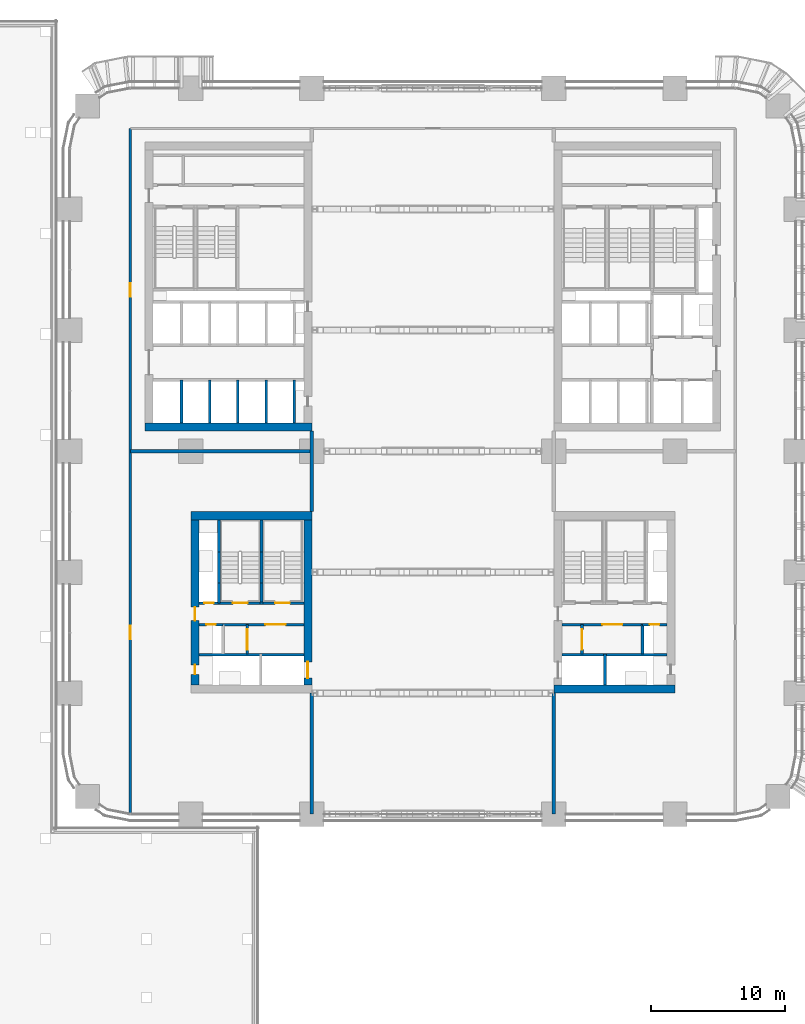
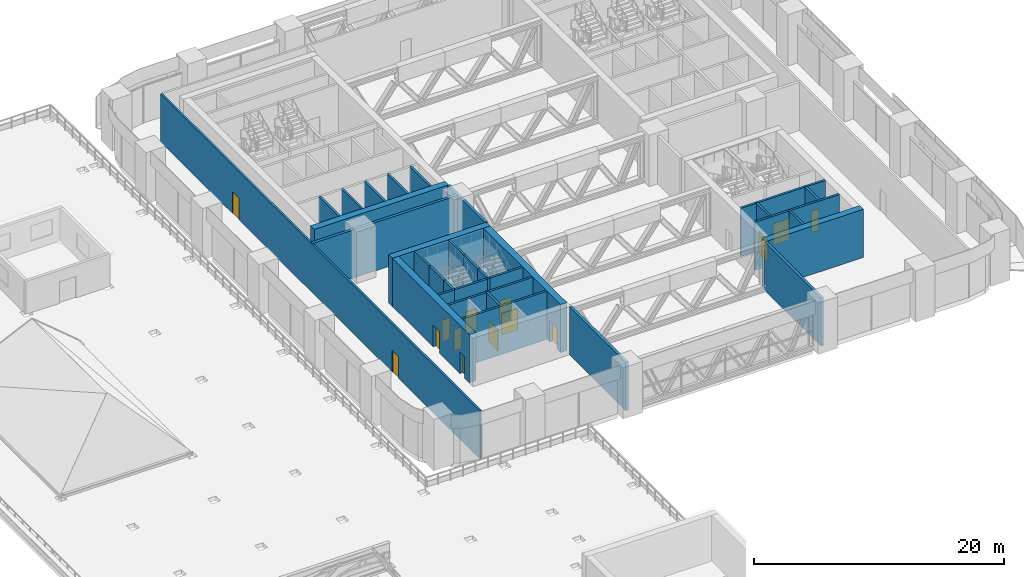
# One storey, part 22 of 35: 35 walls, 14 doors, 14 openings.
"""IFC4 building model written with IfcOpenShell, lengths in metres."""

from ifc_helpers import new_model, si_unit, direction, frame, frame_2d, origin, place, context, subcontext, project, spatial, rectangle, extrude, material, layer, layer_set, type_object, element, fill, save


model = new_model("IFC4")

# Units and contexts
model_context = context("Model", 3, precision=1e-05, world=origin(), true_north=direction((0.0, 1.0)))
body_context = subcontext(model_context, "Body", "Model", "MODEL_VIEW")
ifc_project = project(units=[si_unit("LENGTHUNIT", "METRE"), si_unit("AREAUNIT", "SQUARE_METRE"), si_unit("VOLUMEUNIT", "CUBIC_METRE"), si_unit("PLANEANGLEUNIT", "RADIAN"), si_unit("MASSUNIT", "GRAM", prefix="KILO")], contexts=[model_context])

# Site, building, storey
site_placement = place(None, origin())
site = spatial("IfcSite", under=ifc_project, at=site_placement, CompositionType="ELEMENT")
building_placement = place(site_placement, origin())
building = spatial("IfcBuilding", under=site, at=building_placement, Name="Tessera Arch", CompositionType="ELEMENT")
storey_placement = place(building_placement, frame((0.0, 0.0, 26.0)))
storey = spatial("IfcBuildingStorey", under=building, at=storey_placement, Name="L04", CompositionType="ELEMENT", Elevation=26.0)

# Wall, opening, door
ifc_material_1 = material(Name="Gypsum board on steel stud", Category="steel")
ifc_layer_1 = layer(ifc_material_1, 0.125)
ifc_layer_set_1 = layer_set([ifc_layer_1], Name="Core partition 125 EI 60")
wall_type_1 = type_object("IfcWallType", Name="Core partition 125 EI 60", PredefinedType="PARTITIONING", material=ifc_layer_set_1)
wall_1_placement = place(storey_placement, frame((38.10009765625, 11.89990234375, 0.0), z_axis=(0.0, 0.0, 1.0), x_axis=(0.0, 1.0, 0.0)))
wall_1 = element("IfcWall", 1, at=wall_1_placement, inside=storey, type_object=wall_type_1, Name="L04 C3 partition wall 1", PredefinedType="PARTITIONING", context=body_context, shape_type="SweptSolid", body=[
    extrude(rectangle(XDim=2.2001953125, YDim=0.199951171875, at=frame_2d((1.10009765625, 0.0))), origin(), (0.0, 0.0, 1.0), 4.699951171875),
])
opening_1_placement = place(wall_1_placement, frame((0.35009765625, 0.0, 0.0)))
opening_1 = element("IfcOpeningElement", 2, at=opening_1_placement, cuts=wall_1, Name="Opening L04-C30", PredefinedType="OPENING", context=body_context, shape_type="SweptSolid", body=[
    extrude(rectangle(XDim=1.5, YDim=2.10009765625, at=frame_2d((0.75, 1.050048828125))), frame((0.0, 0.10986328125, 0.0), z_axis=(0.0, -1.0, 0.0), x_axis=(1.0, 0.0, 0.0)), (0.0, 0.0, 1.0), 0.219970703125),
])
ifc_material_2 = material(Name="Steel door leaf", Category="steel")
door_type_1 = type_object("IfcDoorType", Name="Plant door FD60 1500 x 2100", OperationType="DOUBLE_DOOR_SINGLE_SWING", PredefinedType="DOOR", material=ifc_material_2)
door_1_placement = place(opening_1_placement, origin())
door_1 = element("IfcDoor", 3, at=door_1_placement, inside=storey, type_object=door_type_1, Name="L04 C3 door 9 C30 type D08", OperationType="DOUBLE_DOOR_SINGLE_SWING", OverallHeight=2.10009765625, OverallWidth=1.5, PredefinedType="DOOR", context=body_context, shape_type="SweptSolid", body=[
    extrude(rectangle(XDim=1.5, YDim=2.10009765625, at=frame_2d((0.75, 1.050048828125))), frame((0.0, 0.02490234375, 0.0), z_axis=(0.0, -1.0, 0.0), x_axis=(1.0, 0.0, 0.0)), (0.0, 0.0, 1.0), 0.050048828125),
])
fill(opening_1, door_1)

wall_2_placement = place(storey_placement, frame((36.60009765625, 14.10009765625, 0.0), z_axis=(0.0, 0.0, 1.0), x_axis=(1.0, 0.0, 0.0)))
wall_2 = element("IfcWall", 4, at=wall_2_placement, inside=storey, type_object=wall_type_1, Name="L04 C3 partition wall 11", PredefinedType="PARTITIONING", context=body_context, shape_type="SweptSolid", body=[
    extrude(rectangle(XDim=6.0, YDim=0.199951171875, at=frame_2d((3.0, 0.0))), origin(), (0.0, 0.0, 1.0), 4.699951171875),
])
opening_2_placement = place(wall_2_placement, frame((3.0, 0.0, 0.0)))
opening_2 = element("IfcOpeningElement", 5, at=opening_2_placement, cuts=wall_2, Name="Opening L04-C29", PredefinedType="OPENING", context=body_context, shape_type="SweptSolid", body=[
    extrude(rectangle(XDim=1.5, YDim=2.10009765625, at=frame_2d((0.75, 1.050048828125))), frame((0.0, 0.10986328125, 0.0), z_axis=(0.0, -1.0, 0.0), x_axis=(1.0, 0.0, 0.0)), (0.0, 0.0, 1.0), 0.219970703125),
])
door_2_placement = place(opening_2_placement, origin())
door_2 = element("IfcDoor", 6, at=door_2_placement, inside=storey, type_object=door_type_1, Name="L04 C3 door 8 C29 type D08", OperationType="DOUBLE_DOOR_SINGLE_SWING", OverallHeight=2.10009765625, OverallWidth=1.5, PredefinedType="DOOR", context=body_context, shape_type="SweptSolid", body=[
    extrude(rectangle(XDim=1.5, YDim=2.10009765625, at=frame_2d((0.75, 1.050048828125))), frame((0.0, 0.02490234375, 0.0), z_axis=(0.0, -1.0, 0.0), x_axis=(1.0, 0.0, 0.0)), (0.0, 0.0, 1.0), 0.050048828125),
])
fill(opening_2, door_2)

wall_3_placement = place(storey_placement, frame((13.199951171875, 11.89990234375, 0.0), z_axis=(0.0, 0.0, 1.0), x_axis=(0.0, 1.0, 0.0)))
wall_3 = element("IfcWall", 7, at=wall_3_placement, inside=storey, type_object=wall_type_1, Name="L04 C4 partition wall 5", PredefinedType="PARTITIONING", context=body_context, shape_type="SweptSolid", body=[
    extrude(rectangle(XDim=2.2001953125, YDim=0.199951171875, at=frame_2d((1.10009765625, 0.0))), origin(), (0.0, 0.0, 1.0), 4.699951171875),
])
opening_3_placement = place(wall_3_placement, frame((0.35009765625, 0.0, 0.0)))
opening_3 = element("IfcOpeningElement", 8, at=opening_3_placement, cuts=wall_3, Name="Opening L04-C39", PredefinedType="OPENING", context=body_context, shape_type="SweptSolid", body=[
    extrude(rectangle(XDim=1.5, YDim=2.10009765625, at=frame_2d((0.75, 1.050048828125))), frame((0.0, 0.10986328125, 0.0), z_axis=(0.0, -1.0, 0.0), x_axis=(1.0, 0.0, 0.0)), (0.0, 0.0, 1.0), 0.219970703125),
])
door_3_placement = place(opening_3_placement, origin())
door_3 = element("IfcDoor", 9, at=door_3_placement, inside=storey, type_object=door_type_1, Name="L04 C4 door 9 C39 type D08", OperationType="DOUBLE_DOOR_SINGLE_SWING", OverallHeight=2.10009765625, OverallWidth=1.5, PredefinedType="DOOR", context=body_context, shape_type="SweptSolid", body=[
    extrude(rectangle(XDim=1.5, YDim=2.10009765625, at=frame_2d((0.75, 1.050048828125))), frame((0.0, 0.02490234375, 0.0), z_axis=(0.0, -1.0, 0.0), x_axis=(1.0, 0.0, 0.0)), (0.0, 0.0, 1.0), 0.050048828125),
])
fill(opening_3, door_3)

wall_4_placement = place(storey_placement, frame((11.39990234375, 14.10009765625, 0.0), z_axis=(0.0, 0.0, 1.0), x_axis=(1.0, 0.0, 0.0)))
wall_4 = element("IfcWall", 10, at=wall_4_placement, inside=storey, type_object=wall_type_1, Name="L04 C4 partition wall 11", PredefinedType="PARTITIONING", context=body_context, shape_type="SweptSolid", body=[
    extrude(rectangle(XDim=6.0, YDim=0.199951171875, at=frame_2d((3.0, 0.0))), origin(), (0.0, 0.0, 1.0), 4.699951171875),
])
opening_4_placement = place(wall_4_placement, frame((3.14990234375, 0.0, 0.0)))
opening_4 = element("IfcOpeningElement", 11, at=opening_4_placement, cuts=wall_4, Name="Opening L04-C38", PredefinedType="OPENING", context=body_context, shape_type="SweptSolid", body=[
    extrude(rectangle(XDim=1.5, YDim=2.10009765625, at=frame_2d((0.75, 1.050048828125))), frame((0.0, 0.10986328125, 0.0), z_axis=(0.0, -1.0, 0.0), x_axis=(1.0, 0.0, 0.0)), (0.0, 0.0, 1.0), 0.219970703125),
])
door_4_placement = place(opening_4_placement, origin())
door_4 = element("IfcDoor", 12, at=door_4_placement, inside=storey, type_object=door_type_1, Name="L04 C4 door 8 C38 type D08", OperationType="DOUBLE_DOOR_SINGLE_SWING", OverallHeight=2.10009765625, OverallWidth=1.5, PredefinedType="DOOR", context=body_context, shape_type="SweptSolid", body=[
    extrude(rectangle(XDim=1.5, YDim=2.10009765625, at=frame_2d((0.75, 1.050048828125))), frame((0.0, 0.02490234375, 0.0), z_axis=(0.0, -1.0, 0.0), x_axis=(1.0, 0.0, 0.0)), (0.0, 0.0, 1.0), 0.050048828125),
])
fill(opening_4, door_4)

# Walls
ifc_material_3 = material(Name="Concrete C70/85", Category="concrete")
ifc_layer_2 = layer(ifc_material_3, 0.60009765625)
ifc_layer_set_2 = layer_set([ifc_layer_2], Name="Core shell wall 600 C70-85")
wall_type_2 = type_object("IfcWallType", Name="Core shell wall 600 C70-85", PredefinedType="SHEAR", material=ifc_layer_set_2)
wall_5_placement = place(storey_placement, frame((5.60009765625, 28.800048828125, 0.0), z_axis=(0.0, 0.0, 1.0), x_axis=(1.0, 0.0, 0.0)))
element("IfcWall", 13, at=wall_5_placement, inside=storey, type_object=wall_type_2, Name="L04 C2 core wall S", PredefinedType="SHEAR", context=body_context, shape_type="SweptSolid", body=[
    extrude(rectangle(XDim=12.39990234375, YDim=0.60009765625, at=frame_2d((6.199951171875, 0.0))), origin(), (0.0, 0.0, 1.0), 4.699951171875),
])
for number, where, z_axis, x_axis, name in (
    (14, (36.0, 9.300048828125, 0.0), (0.0, 0.0, 1.0), (1.0, 0.0, 0.0), "L04 C3 core wall S"),
    (15, (9.0, 22.199951171875, 0.0), (0.0, 0.0, 1.0), (1.0, 0.0, 0.0), "L04 C4 core wall N"),
):
    element("IfcWall", number, at=place(storey_placement, frame(where, z_axis=z_axis, x_axis=x_axis)), inside=storey, type_object=wall_type_2, Name=name, PredefinedType="SHEAR", context=body_context, shape_type="SweptSolid", body=[
        extrude(rectangle(XDim=9.0, YDim=0.60009765625, at=frame_2d((4.5, 0.0))), origin(), (0.0, 0.0, 1.0), 4.699951171875),
    ])

# Wall, openings, doors
wall_6_placement = place(storey_placement, frame((9.300048828125, 9.60009765625, 0.0), z_axis=(0.0, 0.0, 1.0), x_axis=(0.0, 1.0, 0.0)))
wall_6 = element("IfcWall", 16, at=wall_6_placement, inside=storey, type_object=wall_type_2, Name="L04 C4 core wall W", PredefinedType="SHEAR", context=body_context, shape_type="SweptSolid", body=[
    extrude(rectangle(XDim=12.2998046875, YDim=0.60009765625, at=frame_2d((6.14990234375, 0.0))), origin(), (0.0, 0.0, 1.0), 4.699951171875),
])
opening_5_placement = place(wall_6_placement, frame((0.800048828125, 0.0, 0.0)))
opening_5 = element("IfcOpeningElement", 17, at=opening_5_placement, cuts=wall_6, Name="Opening L04-C36", PredefinedType="OPENING", context=body_context, shape_type="SweptSolid", body=[
    extrude(rectangle(XDim=0.699951171875, YDim=2.10009765625, at=frame_2d((0.35009765625, 1.050048828125))), frame((0.0, 0.31005859375, 0.0), z_axis=(0.0, -1.0, 0.0), x_axis=(1.0, 0.0, 0.0)), (0.0, 0.0, 1.0), 0.6201171875),
])
opening_6_placement = place(wall_6_placement, frame((4.800048828125, 0.0, 0.0)))
opening_6 = element("IfcOpeningElement", 18, at=opening_6_placement, cuts=wall_6, Name="Opening L04-C37", PredefinedType="OPENING", context=body_context, shape_type="SweptSolid", body=[
    extrude(rectangle(XDim=1.0, YDim=2.10009765625, at=frame_2d((0.5, 1.050048828125))), frame((0.0, 0.31005859375, 0.0), z_axis=(0.0, -1.0, 0.0), x_axis=(1.0, 0.0, 0.0)), (0.0, 0.0, 1.0), 0.6201171875),
])
ifc_material_4 = material(Name="Steel door leaf", Category="steel")
door_type_2 = type_object("IfcDoorType", Name="Corridor door FD60 1000 x 2100", OperationType="SINGLE_SWING_LEFT", PredefinedType="DOOR", material=ifc_material_4)
door_5_placement = place(opening_6_placement, origin())
door_5 = element("IfcDoor", 19, at=door_5_placement, inside=storey, type_object=door_type_2, Name="L04 C4 door 7 C37 type D12", OperationType="SINGLE_SWING_LEFT", OverallHeight=2.10009765625, OverallWidth=1.0, PredefinedType="DOOR", context=body_context, shape_type="SweptSolid", body=[
    extrude(rectangle(XDim=1.0, YDim=2.10009765625, at=frame_2d((0.5, 1.050048828125))), frame((0.0, 0.02490234375, 0.0), z_axis=(0.0, -1.0, 0.0), x_axis=(1.0, 0.0, 0.0)), (0.0, 0.0, 1.0), 0.050048828125),
])
fill(opening_6, door_5)
ifc_material_5 = material(Name="Steel door leaf", Category="steel")
door_type_3 = type_object("IfcDoorType", Name="Service shaft door FD60 700 x 2100", OperationType="SINGLE_SWING_LEFT", PredefinedType="DOOR", material=ifc_material_5)
door_6_placement = place(opening_5_placement, origin())
door_6 = element("IfcDoor", 20, at=door_6_placement, inside=storey, type_object=door_type_3, Name="L04 C4 door 6 C36 type D07", OperationType="SINGLE_SWING_LEFT", OverallHeight=2.10009765625, OverallWidth=0.699951171875, PredefinedType="DOOR", context=body_context, shape_type="SweptSolid", body=[
    extrude(rectangle(XDim=0.699951171875, YDim=2.10009765625, at=frame_2d((0.35009765625, 1.050048828125))), frame((0.0, 0.02490234375, 0.0), z_axis=(0.0, -1.0, 0.0), x_axis=(1.0, 0.0, 0.0)), (0.0, 0.0, 1.0), 0.050048828125),
])
fill(opening_5, door_6)

# Wall, opening, door
wall_7_placement = place(storey_placement, frame((17.699951171875, 9.60009765625, 0.0), z_axis=(0.0, 0.0, 1.0), x_axis=(0.0, 1.0, 0.0)))
wall_7 = element("IfcWall", 21, at=wall_7_placement, inside=storey, type_object=wall_type_2, Name="L04 C4 core wall E", PredefinedType="SHEAR", context=body_context, shape_type="SweptSolid", body=[
    extrude(rectangle(XDim=12.2998046875, YDim=0.60009765625, at=frame_2d((6.14990234375, 0.0))), origin(), (0.0, 0.0, 1.0), 4.699951171875),
])
opening_7_placement = place(wall_7_placement, frame((0.52490234375, 0.0, 0.0)))
opening_7 = element("IfcOpeningElement", 22, at=opening_7_placement, cuts=wall_7, Name="Opening L04-C31", PredefinedType="OPENING", context=body_context, shape_type="SweptSolid", body=[
    extrude(rectangle(XDim=1.199951171875, YDim=2.10009765625, at=frame_2d((0.60009765625, 1.050048828125))), frame((0.0, 0.31005859375, 0.0), z_axis=(0.0, -1.0, 0.0), x_axis=(1.0, 0.0, 0.0)), (0.0, 0.0, 1.0), 0.6201171875),
])
ifc_material_6 = material(Name="Stainless steel AISI 304", Category="steel")
door_type_4 = type_object("IfcDoorType", Name="Sliding landing door 1200 x 2100", OperationType="SLIDING_TO_LEFT", PredefinedType="DOOR", material=ifc_material_6)
door_7_placement = place(opening_7_placement, origin())
door_7 = element("IfcDoor", 23, at=door_7_placement, inside=storey, type_object=door_type_4, Name="L04 SV3 lift landing door C31 type LD", OperationType="SLIDING_TO_LEFT", OverallHeight=2.10009765625, OverallWidth=1.199951171875, PredefinedType="DOOR", context=body_context, shape_type="SweptSolid", body=[
    extrude(rectangle(XDim=1.199951171875, YDim=2.10009765625, at=frame_2d((0.60009765625, 1.050048828125))), frame((0.0, 0.02490234375, 0.0), z_axis=(0.0, -1.0, 0.0), x_axis=(1.0, 0.0, 0.0)), (0.0, 0.0, 1.0), 0.050048828125),
])
fill(opening_7, door_7)

# Wall, openings, doors
ifc_material_7 = material(Name="Gypsum board on deep steel stud with mineral wool", Category="steel")
ifc_layer_3 = layer(ifc_material_7, 0.175048828125)
ifc_layer_set_3 = layer_set([ifc_layer_3], Name="Corridor wall 175 EI 60")
wall_type_3 = type_object("IfcWallType", Name="Corridor wall 175 EI 60", PredefinedType="PARTITIONING", material=ifc_layer_set_3)
wall_8_placement = place(storey_placement, frame((4.5, 0.0, 0.0), z_axis=(0.0, 0.0, 1.0), x_axis=(0.0, 1.0, 0.0)))
wall_8 = element("IfcWall", 24, at=wall_8_placement, inside=storey, type_object=wall_type_3, Name="L04 partition 2", PredefinedType="PARTITIONING", context=body_context, shape_type="SweptSolid", body=[
    extrude(rectangle(XDim=51.0, YDim=0.175048828125, at=frame_2d((25.5, 0.0))), origin(), (0.0, 0.0, 1.0), 4.699951171875),
])
opening_8_placement = place(wall_8_placement, frame((13.0, 0.0, 0.0)))
opening_8 = element("IfcOpeningElement", 25, at=opening_8_placement, cuts=wall_8, Name="Opening L04-D001", PredefinedType="OPENING", context=body_context, shape_type="SweptSolid", body=[
    extrude(rectangle(XDim=1.0, YDim=2.10009765625, at=frame_2d((0.5, 1.050048828125))), frame((0.0, 0.097412109375, 0.0), z_axis=(0.0, -1.0, 0.0), x_axis=(1.0, 0.0, 0.0)), (0.0, 0.0, 1.0), 0.195068359375),
])
opening_9_placement = place(wall_8_placement, frame((38.5, 0.0, 0.0)))
opening_9 = element("IfcOpeningElement", 26, at=opening_9_placement, cuts=wall_8, Name="Opening L04-D002", PredefinedType="OPENING", context=body_context, shape_type="SweptSolid", body=[
    extrude(rectangle(XDim=1.0, YDim=2.10009765625, at=frame_2d((0.5, 1.050048828125))), frame((0.0, 0.097412109375, 0.0), z_axis=(0.0, -1.0, 0.0), x_axis=(1.0, 0.0, 0.0)), (0.0, 0.0, 1.0), 0.195068359375),
])
ifc_material_8 = material(Name="Fire-rated door leaf")
door_type_5 = type_object("IfcDoorType", Name="Entrance door FD60 1000 x 2100", OperationType="SINGLE_SWING_LEFT", PredefinedType="DOOR", material=ifc_material_8)
door_8_placement = place(opening_8_placement, origin())
door_8 = element("IfcDoor", 27, at=door_8_placement, inside=storey, type_object=door_type_5, Name="L04 door D001 type D16", OperationType="SINGLE_SWING_LEFT", OverallHeight=2.10009765625, OverallWidth=1.0, PredefinedType="DOOR", context=body_context, shape_type="SweptSolid", body=[
    extrude(rectangle(XDim=1.0, YDim=2.10009765625, at=frame_2d((0.5, 1.050048828125))), frame((0.0, 0.02490234375, 0.0), z_axis=(0.0, -1.0, 0.0), x_axis=(1.0, 0.0, 0.0)), (0.0, 0.0, 1.0), 0.050048828125),
])
fill(opening_8, door_8)
door_9_placement = place(opening_9_placement, origin())
door_9 = element("IfcDoor", 28, at=door_9_placement, inside=storey, type_object=door_type_5, Name="L04 door D002 type D16", OperationType="SINGLE_SWING_LEFT", OverallHeight=2.10009765625, OverallWidth=1.0, PredefinedType="DOOR", context=body_context, shape_type="SweptSolid", body=[
    extrude(rectangle(XDim=1.0, YDim=2.10009765625, at=frame_2d((0.5, 1.050048828125))), frame((0.0, 0.02490234375, 0.0), z_axis=(0.0, -1.0, 0.0), x_axis=(1.0, 0.0, 0.0)), (0.0, 0.0, 1.0), 0.050048828125),
])
fill(opening_9, door_9)

# Walls
ifc_material_9 = material(Name="Double gypsum board on twin steel stud with acoustic mineral wool", Category="steel")
ifc_layer_4 = layer(ifc_material_9, 0.25)
ifc_layer_set_4 = layer_set([ifc_layer_4], Name="Party wall 250 EI 60")
wall_type_4 = type_object("IfcWallType", Name="Party wall 250 EI 60", PredefinedType="PARTITIONING", material=ifc_layer_set_4)
wall_9_placement = place(storey_placement, frame((4.5, 27.0, 0.0), z_axis=(0.0, 0.0, 1.0), x_axis=(1.0, 0.0, 0.0)))
element("IfcWall", 29, at=wall_9_placement, inside=storey, type_object=wall_type_4, Name="L04 partition 4", PredefinedType="PARTITIONING", context=body_context, shape_type="SweptSolid", body=[
    extrude(rectangle(XDim=13.5, YDim=0.25, at=frame_2d((6.75, 0.0))), origin(), (0.0, 0.0, 1.0), 4.699951171875),
])
wall_10_placement = place(storey_placement, frame((18.0, 0.0, 0.0), z_axis=(0.0, 0.0, 1.0), x_axis=(0.0, 1.0, 0.0)))
element("IfcWall", 30, at=wall_10_placement, inside=storey, type_object=wall_type_4, Name="L04 partition 6", PredefinedType="PARTITIONING", context=body_context, shape_type="SweptSolid", body=[
    extrude(rectangle(XDim=9.0, YDim=0.25, at=frame_2d((4.5, 0.0))), origin(), (0.0, 0.0, 1.0), 4.699951171875),
])
wall_11_placement = place(storey_placement, frame((18.0, 22.5, 0.0), z_axis=(0.0, 0.0, 1.0), x_axis=(0.0, 1.0, 0.0)))
element("IfcWall", 31, at=wall_11_placement, inside=storey, type_object=wall_type_4, Name="L04 partition 7", PredefinedType="PARTITIONING", context=body_context, shape_type="SweptSolid", body=[
    extrude(rectangle(XDim=6.0, YDim=0.25, at=frame_2d((3.0, 0.0))), origin(), (0.0, 0.0, 1.0), 4.699951171875),
])
wall_12_placement = place(storey_placement, frame((36.0, 0.0, 0.0), z_axis=(0.0, 0.0, 1.0), x_axis=(0.0, 1.0, 0.0)))
element("IfcWall", 32, at=wall_12_placement, inside=storey, type_object=wall_type_4, Name="L04 partition 9", PredefinedType="PARTITIONING", context=body_context, shape_type="SweptSolid", body=[
    extrude(rectangle(XDim=9.0, YDim=0.25, at=frame_2d((4.5, 0.0))), origin(), (0.0, 0.0, 1.0), 4.699951171875),
])
ifc_material_10 = material(Name="Concrete C40/50", Category="concrete")
ifc_layer_5 = layer(ifc_material_10, 0.199951171875)
ifc_layer_set_5 = layer_set([ifc_layer_5], Name="Shaft wall 200 EI 120")
wall_type_5 = type_object("IfcWallType", Name="Shaft wall 200 EI 120", PredefinedType="SOLIDWALL", material=ifc_layer_set_5)
for number, where, z_axis, x_axis, name in (
    (33, (8.300048828125, 29.10009765625, 0.0), (0.0, 0.0, 1.0), (0.0, 1.0, 0.0), "L04 C2 shaft wall 1"),
    (34, (10.39990234375, 29.10009765625, 0.0), (0.0, 0.0, 1.0), (0.0, 1.0, 0.0), "L04 C2 shaft wall 7"),
    (35, (12.5, 29.10009765625, 0.0), (0.0, 0.0, 1.0), (0.0, 1.0, 0.0), "L04 C2 shaft wall 9"),
    (36, (14.60009765625, 29.10009765625, 0.0), (0.0, 0.0, 1.0), (0.0, 1.0, 0.0), "L04 C2 shaft wall 14"),
    (37, (16.699951171875, 29.10009765625, 0.0), (0.0, 0.0, 1.0), (0.0, 1.0, 0.0), "L04 C2 shaft wall 16"),
):
    element("IfcWall", number, at=place(storey_placement, frame(where, z_axis=z_axis, x_axis=x_axis)), inside=storey, type_object=wall_type_5, Name=name, PredefinedType="SOLIDWALL", context=body_context, shape_type="SweptSolid", body=[
        extrude(rectangle(XDim=3.199951171875, YDim=0.199951171875, at=frame_2d((1.60009765625, 0.0))), origin(), (0.0, 0.0, 1.0), 4.699951171875),
    ])
wall_13_placement = place(storey_placement, frame((39.800048828125, 9.60009765625, 0.0), z_axis=(0.0, 0.0, 1.0), x_axis=(0.0, 1.0, 0.0)))
element("IfcWall", 38, at=wall_13_placement, inside=storey, type_object=wall_type_5, Name="L04 C3 shaft wall 5", PredefinedType="SOLIDWALL", context=body_context, shape_type="SweptSolid", body=[
    extrude(rectangle(XDim=2.2998046875, YDim=0.199951171875, at=frame_2d((1.14990234375, 0.0))), origin(), (0.0, 0.0, 1.0), 4.699951171875),
])
wall_14_placement = place(storey_placement, frame((42.60009765625, 11.89990234375, 0.0), z_axis=(0.0, 0.0, 1.0), x_axis=(0.0, 1.0, 0.0)))
element("IfcWall", 39, at=wall_14_placement, inside=storey, type_object=wall_type_5, Name="L04 C3 shaft wall 6", PredefinedType="SOLIDWALL", context=body_context, shape_type="SweptSolid", body=[
    extrude(rectangle(XDim=2.2001953125, YDim=0.199951171875, at=frame_2d((1.10009765625, 0.0))), origin(), (0.0, 0.0, 1.0), 4.699951171875),
])
wall_15_placement = place(storey_placement, frame((36.60009765625, 11.85009765625, 0.0), z_axis=(0.0, 0.0, 1.0), x_axis=(1.0, 0.0, 0.0)))
element("IfcWall", 40, at=wall_15_placement, inside=storey, type_object=wall_type_5, Name="L04 C3 shaft wall 10", PredefinedType="SOLIDWALL", context=body_context, shape_type="SweptSolid", body=[
    extrude(rectangle(XDim=7.7998046875, YDim=0.199951171875, at=frame_2d((3.89990234375, 0.0))), origin(), (0.0, 0.0, 1.0), 4.699951171875),
])

# Wall, opening, door
wall_16_placement = place(storey_placement, frame((42.60009765625, 14.10009765625, 0.0), z_axis=(0.0, 0.0, 1.0), x_axis=(1.0, 0.0, 0.0)))
wall_16 = element("IfcWall", 41, at=wall_16_placement, inside=storey, type_object=wall_type_5, Name="L04 C3 shaft wall 12", PredefinedType="SOLIDWALL", context=body_context, shape_type="SweptSolid", body=[
    extrude(rectangle(XDim=1.7998046875, YDim=0.199951171875, at=frame_2d((0.89990234375, 0.0))), origin(), (0.0, 0.0, 1.0), 4.699951171875),
])
opening_10_placement = place(wall_16_placement, frame((0.550048828125, 0.0, 0.0)))
opening_10 = element("IfcOpeningElement", 42, at=opening_10_placement, cuts=wall_16, Name="Opening L04-C26", PredefinedType="OPENING", context=body_context, shape_type="SweptSolid", body=[
    extrude(rectangle(XDim=0.699951171875, YDim=2.10009765625, at=frame_2d((0.35009765625, 1.050048828125))), frame((0.0, 0.10986328125, 0.0), z_axis=(0.0, -1.0, 0.0), x_axis=(1.0, 0.0, 0.0)), (0.0, 0.0, 1.0), 0.219970703125),
])
door_10_placement = place(opening_10_placement, origin())
door_10 = element("IfcDoor", 43, at=door_10_placement, inside=storey, type_object=door_type_3, Name="L04 C3 door 5 C26 type D07", OperationType="SINGLE_SWING_RIGHT", OverallHeight=2.10009765625, OverallWidth=0.699951171875, PredefinedType="DOOR", context=body_context, shape_type="SweptSolid", body=[
    extrude(rectangle(XDim=0.699951171875, YDim=2.10009765625, at=frame_2d((0.35009765625, 1.050048828125))), frame((0.0, 0.02490234375, 0.0), z_axis=(0.0, -1.0, 0.0), x_axis=(1.0, 0.0, 0.0)), (0.0, 0.0, 1.0), 0.050048828125),
])
fill(opening_10, door_10)

# Wall
wall_17_placement = place(storey_placement, frame((9.60009765625, 11.85009765625, 0.0), z_axis=(0.0, 0.0, 1.0), x_axis=(1.0, 0.0, 0.0)))
element("IfcWall", 44, at=wall_17_placement, inside=storey, type_object=wall_type_5, Name="L04 C4 shaft wall 10", PredefinedType="SOLIDWALL", context=body_context, shape_type="SweptSolid", body=[
    extrude(rectangle(XDim=7.7998046875, YDim=0.199951171875, at=frame_2d((3.89990234375, 0.0))), origin(), (0.0, 0.0, 1.0), 4.699951171875),
])

# Wall, opening, door
wall_18_placement = place(storey_placement, frame((9.60009765625, 14.10009765625, 0.0), z_axis=(0.0, 0.0, 1.0), x_axis=(1.0, 0.0, 0.0)))
wall_18 = element("IfcWall", 45, at=wall_18_placement, inside=storey, type_object=wall_type_5, Name="L04 C4 shaft wall 12", PredefinedType="SOLIDWALL", context=body_context, shape_type="SweptSolid", body=[
    extrude(rectangle(XDim=1.7998046875, YDim=0.199951171875, at=frame_2d((0.89990234375, 0.0))), origin(), (0.0, 0.0, 1.0), 4.699951171875),
])
opening_11_placement = place(wall_18_placement, frame((0.550048828125, 0.0, 0.0)))
opening_11 = element("IfcOpeningElement", 46, at=opening_11_placement, cuts=wall_18, Name="Opening L04-C35", PredefinedType="OPENING", context=body_context, shape_type="SweptSolid", body=[
    extrude(rectangle(XDim=0.699951171875, YDim=2.10009765625, at=frame_2d((0.35009765625, 1.050048828125))), frame((0.0, 0.10986328125, 0.0), z_axis=(0.0, -1.0, 0.0), x_axis=(1.0, 0.0, 0.0)), (0.0, 0.0, 1.0), 0.219970703125),
])
door_11_placement = place(opening_11_placement, origin())
door_11 = element("IfcDoor", 47, at=door_11_placement, inside=storey, type_object=door_type_3, Name="L04 C4 door 5 C35 type D07", OperationType="SINGLE_SWING_LEFT", OverallHeight=2.10009765625, OverallWidth=0.699951171875, PredefinedType="DOOR", context=body_context, shape_type="SweptSolid", body=[
    extrude(rectangle(XDim=0.699951171875, YDim=2.10009765625, at=frame_2d((0.35009765625, 1.050048828125))), frame((0.0, 0.02490234375, 0.0), z_axis=(0.0, -1.0, 0.0), x_axis=(1.0, 0.0, 0.0)), (0.0, 0.0, 1.0), 0.050048828125),
])
fill(opening_11, door_11)

wall_19_placement = place(storey_placement, frame((9.60009765625, 15.699951171875, 0.0), z_axis=(0.0, 0.0, 1.0), x_axis=(1.0, 0.0, 0.0)))
wall_19 = element("IfcWall", 48, at=wall_19_placement, inside=storey, type_object=wall_type_5, Name="L04 C4 shaft wall 13", PredefinedType="SOLIDWALL", context=body_context, shape_type="SweptSolid", body=[
    extrude(rectangle(XDim=1.5, YDim=0.199951171875, at=frame_2d((0.75, 0.0))), origin(), (0.0, 0.0, 1.0), 4.699951171875),
])
opening_12_placement = place(wall_19_placement, frame((0.39990234375, 0.0, 0.0)))
opening_12 = element("IfcOpeningElement", 49, at=opening_12_placement, cuts=wall_19, Name="Opening L04-C34", PredefinedType="OPENING", context=body_context, shape_type="SweptSolid", body=[
    extrude(rectangle(XDim=0.699951171875, YDim=2.10009765625, at=frame_2d((0.35009765625, 1.050048828125))), frame((0.0, 0.10986328125, 0.0), z_axis=(0.0, -1.0, 0.0), x_axis=(1.0, 0.0, 0.0)), (0.0, 0.0, 1.0), 0.219970703125),
])
door_12_placement = place(opening_12_placement, origin())
door_12 = element("IfcDoor", 50, at=door_12_placement, inside=storey, type_object=door_type_3, Name="L04 C4 door 4 C34 type D07", OperationType="SINGLE_SWING_LEFT", OverallHeight=2.10009765625, OverallWidth=0.699951171875, PredefinedType="DOOR", context=body_context, shape_type="SweptSolid", body=[
    extrude(rectangle(XDim=0.699951171875, YDim=2.10009765625, at=frame_2d((0.35009765625, 1.050048828125))), frame((0.0, 0.02490234375, 0.0), z_axis=(0.0, -1.0, 0.0), x_axis=(1.0, 0.0, 0.0)), (0.0, 0.0, 1.0), 0.050048828125),
])
fill(opening_12, door_12)

# Walls
ifc_material_11 = material(Name="Concrete C40/50", Category="concrete")
ifc_layer_6 = layer(ifc_material_11, 0.199951171875)
ifc_layer_set_6 = layer_set([ifc_layer_6], Name="Stair well wall 200 REI 180")
wall_type_6 = type_object("IfcWallType", Name="Stair well wall 200 REI 180", PredefinedType="SOLIDWALL", material=ifc_layer_set_6)
wall_20_placement = place(storey_placement, frame((11.10009765625, 15.699951171875, 0.0), z_axis=(0.0, 0.0, 1.0), x_axis=(0.0, 1.0, 0.0)))
element("IfcWall", 51, at=wall_20_placement, inside=storey, type_object=wall_type_6, Name="L04 C4 shaft wall 1", PredefinedType="SOLIDWALL", context=body_context, shape_type="SweptSolid", body=[
    extrude(rectangle(XDim=1.5, YDim=0.199951171875, at=frame_2d((0.75, 0.0))), origin(), (0.0, 0.0, 1.0), 4.699951171875),
])
wall_21_placement = place(storey_placement, frame((11.10009765625, 17.199951171875, 0.0), z_axis=(0.0, 0.0, 1.0), x_axis=(0.0, 1.0, 0.0)))
element("IfcWall", 52, at=wall_21_placement, inside=storey, type_object=wall_type_6, Name="L04 C4 shaft wall 2", PredefinedType="SOLIDWALL", context=body_context, shape_type="SweptSolid", body=[
    extrude(rectangle(XDim=2.31005859375, YDim=0.199951171875, at=frame_2d((1.155029296875, 0.0))), origin(), (0.0, 0.0, 1.0), 4.699951171875),
])
wall_22_placement = place(storey_placement, frame((11.10009765625, 19.510009765625, 0.0), z_axis=(0.0, 0.0, 1.0), x_axis=(0.0, 1.0, 0.0)))
element("IfcWall", 53, at=wall_22_placement, inside=storey, type_object=wall_type_6, Name="L04 C4 shaft wall 3", PredefinedType="SOLIDWALL", context=body_context, shape_type="SweptSolid", body=[
    extrude(rectangle(XDim=2.389892578125, YDim=0.199951171875, at=frame_2d((1.19482421875, 0.0))), origin(), (0.0, 0.0, 1.0), 4.699951171875),
])
wall_23_placement = place(storey_placement, frame((14.25, 15.699951171875, 0.0), z_axis=(0.0, 0.0, 1.0), x_axis=(0.0, 1.0, 0.0)))
element("IfcWall", 54, at=wall_23_placement, inside=storey, type_object=wall_type_6, Name="L04 C4 shaft wall 7", PredefinedType="SOLIDWALL", context=body_context, shape_type="SweptSolid", body=[
    extrude(rectangle(XDim=1.5, YDim=0.199951171875, at=frame_2d((0.75, 0.0))), origin(), (0.0, 0.0, 1.0), 4.699951171875),
])
wall_24_placement = place(storey_placement, frame((14.25, 17.199951171875, 0.0), z_axis=(0.0, 0.0, 1.0), x_axis=(0.0, 1.0, 0.0)))
element("IfcWall", 55, at=wall_24_placement, inside=storey, type_object=wall_type_6, Name="L04 C4 shaft wall 8", PredefinedType="SOLIDWALL", context=body_context, shape_type="SweptSolid", body=[
    extrude(rectangle(XDim=2.31005859375, YDim=0.199951171875, at=frame_2d((1.155029296875, 0.0))), origin(), (0.0, 0.0, 1.0), 4.699951171875),
])
wall_25_placement = place(storey_placement, frame((14.25, 19.510009765625, 0.0), z_axis=(0.0, 0.0, 1.0), x_axis=(0.0, 1.0, 0.0)))
element("IfcWall", 56, at=wall_25_placement, inside=storey, type_object=wall_type_6, Name="L04 C4 shaft wall 9", PredefinedType="SOLIDWALL", context=body_context, shape_type="SweptSolid", body=[
    extrude(rectangle(XDim=2.389892578125, YDim=0.199951171875, at=frame_2d((1.19482421875, 0.0))), origin(), (0.0, 0.0, 1.0), 4.699951171875),
])

# Wall, opening, door
wall_26_placement = place(storey_placement, frame((11.10009765625, 15.699951171875, 0.0), z_axis=(0.0, 0.0, 1.0), x_axis=(1.0, 0.0, 0.0)))
wall_26 = element("IfcWall", 57, at=wall_26_placement, inside=storey, type_object=wall_type_6, Name="L04 C4 shaft wall 14", PredefinedType="SOLIDWALL", context=body_context, shape_type="SweptSolid", body=[
    extrude(rectangle(XDim=3.0498046875, YDim=0.199951171875, at=frame_2d((1.52490234375, 0.0))), origin(), (0.0, 0.0, 1.0), 4.699951171875),
])
opening_13_placement = place(wall_26_placement, frame((1.02490234375, 0.0, 0.0)))
opening_13 = element("IfcOpeningElement", 58, at=opening_13_placement, cuts=wall_26, Name="Opening L04-C33", PredefinedType="OPENING", context=body_context, shape_type="SweptSolid", body=[
    extrude(rectangle(XDim=1.10009765625, YDim=2.10009765625, at=frame_2d((0.550048828125, 1.050048828125))), frame((0.0, 0.10986328125, 0.0), z_axis=(0.0, -1.0, 0.0), x_axis=(1.0, 0.0, 0.0)), (0.0, 0.0, 1.0), 0.219970703125),
])
ifc_material_12 = material(Name="Steel door leaf", Category="steel")
door_type_6 = type_object("IfcDoorType", Name="Stair door FD60 1100 x 2100", OperationType="SINGLE_SWING_LEFT", PredefinedType="DOOR", material=ifc_material_12)
door_13_placement = place(opening_13_placement, origin())
door_13 = element("IfcDoor", 59, at=door_13_placement, inside=storey, type_object=door_type_6, Name="L04 C4 door 3 C33 type D05", OperationType="SINGLE_SWING_RIGHT", OverallHeight=2.10009765625, OverallWidth=1.10009765625, PredefinedType="DOOR", context=body_context, shape_type="SweptSolid", body=[
    extrude(rectangle(XDim=1.10009765625, YDim=2.10009765625, at=frame_2d((0.550048828125, 1.050048828125))), frame((0.0, 0.02490234375, 0.0), z_axis=(0.0, -1.0, 0.0), x_axis=(1.0, 0.0, 0.0)), (0.0, 0.0, 1.0), 0.050048828125),
])
fill(opening_13, door_13)

# Wall
wall_27_placement = place(storey_placement, frame((14.14990234375, 15.699951171875, 0.0), z_axis=(0.0, 0.0, 1.0), x_axis=(1.0, 0.0, 0.0)))
element("IfcWall", 60, at=wall_27_placement, inside=storey, type_object=wall_type_6, Name="L04 C4 shaft wall 15", PredefinedType="SOLIDWALL", context=body_context, shape_type="SweptSolid", body=[
    extrude(rectangle(XDim=0.2001953125, YDim=0.199951171875, at=frame_2d((0.10009765625, 0.0))), origin(), (0.0, 0.0, 1.0), 4.699951171875),
])

# Wall, opening, door
wall_28_placement = place(storey_placement, frame((14.35009765625, 15.699951171875, 0.0), z_axis=(0.0, 0.0, 1.0), x_axis=(1.0, 0.0, 0.0)))
wall_28 = element("IfcWall", 61, at=wall_28_placement, inside=storey, type_object=wall_type_6, Name="L04 C4 shaft wall 16", PredefinedType="SOLIDWALL", context=body_context, shape_type="SweptSolid", body=[
    extrude(rectangle(XDim=3.0498046875, YDim=0.199951171875, at=frame_2d((1.52490234375, 0.0))), origin(), (0.0, 0.0, 1.0), 4.699951171875),
])
opening_14_placement = place(wall_28_placement, frame((0.925048828125, 0.0, 0.0)))
opening_14 = element("IfcOpeningElement", 62, at=opening_14_placement, cuts=wall_28, Name="Opening L04-C32", PredefinedType="OPENING", context=body_context, shape_type="SweptSolid", body=[
    extrude(rectangle(XDim=1.10009765625, YDim=2.10009765625, at=frame_2d((0.550048828125, 1.050048828125))), frame((0.0, 0.10986328125, 0.0), z_axis=(0.0, -1.0, 0.0), x_axis=(1.0, 0.0, 0.0)), (0.0, 0.0, 1.0), 0.219970703125),
])
door_14_placement = place(opening_14_placement, origin())
door_14 = element("IfcDoor", 63, at=door_14_placement, inside=storey, type_object=door_type_6, Name="L04 C4 door 2 C32 type D05", OperationType="SINGLE_SWING_LEFT", OverallHeight=2.10009765625, OverallWidth=1.10009765625, PredefinedType="DOOR", context=body_context, shape_type="SweptSolid", body=[
    extrude(rectangle(XDim=1.10009765625, YDim=2.10009765625, at=frame_2d((0.550048828125, 1.050048828125))), frame((0.0, 0.02490234375, 0.0), z_axis=(0.0, -1.0, 0.0), x_axis=(1.0, 0.0, 0.0)), (0.0, 0.0, 1.0), 0.050048828125),
])
fill(opening_14, door_14)

save(model, "model.ifc")
